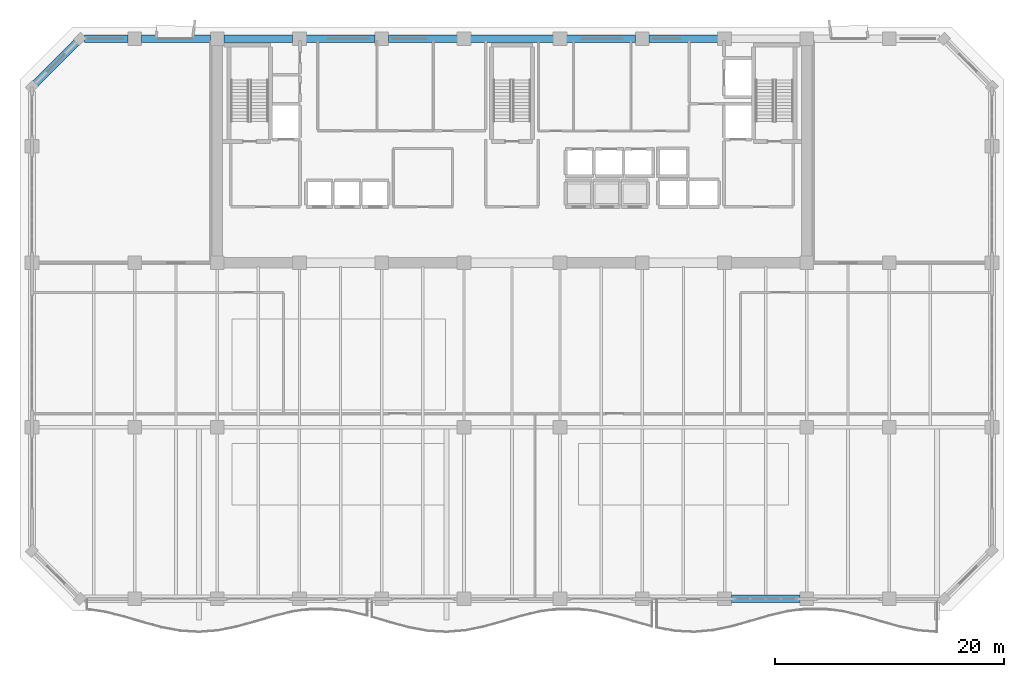
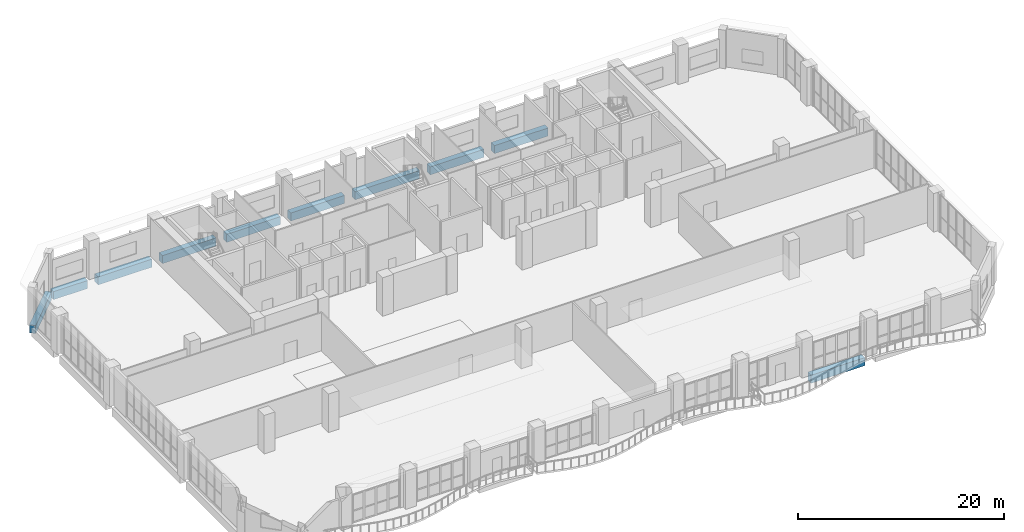
# One storey, part 17 of 37: 10 beams.
"""IFC4 building model written with IfcOpenShell, lengths in metres."""

import ifcopenshell
import ifcopenshell.guid

model = None  # the IFC model being written
_history = None  # IfcOwnerHistory: only IFC2X3 demands one
_inside = {}  # id of a spatial element -> (the spatial element, [elements in it])
_under = {}  # id of a project, library or spatial element -> (it, [spatial elements below it])
_declared = {}  # id of a project -> (the project, [libraries it declares])
_typed = {}  # id of a type object -> (the type object, [elements of that type])
_made_of = {}  # id of a material, layer set ... -> (it, [elements and type objects made of it])


def new_model(schema):
    """Start an empty IFC model of exactly this schema.

    Asked for "IFC4X3", IfcOpenShell would pick the latest addendum, in which some entities
    have other attributes; the version numbers below select the first issue.
    IFC2X3 requires an IfcOwnerHistory on every rooted entity: one is made here for all.
    """
    global model, _history
    if schema == "IFC4X3":
        model = ifcopenshell.file(schema_version=(4, 3, 0, 0))
    else:
        model = ifcopenshell.file(schema=schema)
    _inside.clear()
    _under.clear()
    _declared.clear()
    _typed.clear()
    _made_of.clear()
    _history = None
    if model.schema == "IFC2X3":
        org = make("IfcOrganization", Name="unknown")
        user = make(
            "IfcPersonAndOrganization",
            ThePerson=make("IfcPerson", FamilyName="unknown"),
            TheOrganization=org,
        )
        app = make(
            "IfcApplication",
            ApplicationDeveloper=org,
            Version="unknown",
            ApplicationFullName="unknown",
            ApplicationIdentifier="unknown",
        )
        _history = make(
            "IfcOwnerHistory",
            OwningUser=user,
            OwningApplication=app,
            ChangeAction="ADDED",
            CreationDate=0,
        )
    return model


def make(cls, **values):
    """One entity of the class cls with the attributes given. An attribute that is None is left unset."""
    return model.create_entity(
        cls, **{name: value for name, value in values.items() if value is not None}
    )


def rooted(cls, **values):
    """An entity with a GlobalId (a new one), such as an element, a storey or a relation."""
    return make(cls, GlobalId=ifcopenshell.guid.new(), OwnerHistory=_history, **values)


def si_unit(unit_type, name, prefix=None):
    """IfcSIUnit, for example si_unit("LENGTHUNIT", "METRE", prefix="MILLI")."""
    return make("IfcSIUnit", UnitType=unit_type, Prefix=prefix, Name=name)


def assignment(units):
    """IfcUnitAssignment: the units of a project."""
    return None if units is None else make("IfcUnitAssignment", Units=units)


def point(xyz):
    """IfcCartesianPoint."""
    return None if xyz is None else make("IfcCartesianPoint", Coordinates=xyz)


def direction(xyz):
    """IfcDirection."""
    return None if xyz is None else make("IfcDirection", DirectionRatios=xyz)


def frame(location, z_axis=None, x_axis=None):
    """IfcAxis2Placement3D, a coordinate frame: its origin and axes. An axis left out is left unset."""
    return make(
        "IfcAxis2Placement3D",
        Location=point(location),
        Axis=direction(z_axis),
        RefDirection=direction(x_axis),
    )


def frame_2d(location, x_axis=None):
    """IfcAxis2Placement2D, a coordinate frame in the plane: its origin and x axis."""
    return make(
        "IfcAxis2Placement2D", Location=point(location), RefDirection=direction(x_axis)
    )


def origin():
    """The frame at (0, 0, 0) with its axes left unset."""
    return frame((0.0, 0.0, 0.0))


def origin_2d():
    """The frame at (0, 0) in the plane with its x axis left unset."""
    return frame_2d((0.0, 0.0))


def place(relative_to, where):
    """IfcLocalPlacement: puts the frame where relative to a parent placement (None: the world)."""
    return make(
        "IfcLocalPlacement", PlacementRelTo=relative_to, RelativePlacement=where
    )


def context(
    kind, dimensions, precision=None, world=None, true_north=None, identifier=None
):
    """IfcGeometricRepresentationContext, for example the 3D "Model" context."""
    return make(
        "IfcGeometricRepresentationContext",
        ContextIdentifier=identifier,
        ContextType=kind,
        CoordinateSpaceDimension=dimensions,
        Precision=precision,
        WorldCoordinateSystem=world,
        TrueNorth=true_north,
    )


def subcontext(parent, identifier, kind, view, scale=None):
    """IfcGeometricRepresentationSubContext, for example "Body" below "Model"."""
    return make(
        "IfcGeometricRepresentationSubContext",
        ContextIdentifier=identifier,
        ContextType=kind,
        ParentContext=parent,
        TargetScale=scale,
        TargetView=view,
    )


def project(units=None, contexts=None):
    """IfcProject with its units and contexts."""
    return rooted(
        "IfcProject",
        Name="project",
        RepresentationContexts=contexts,
        UnitsInContext=assignment(units),
    )


def spatial(cls, under=None, at=None, **own):
    """A site, building, storey or space (cls), placed at a placement, below another one or the project."""
    s = rooted(cls, ObjectPlacement=at, **own)
    if under is not None:
        _under.setdefault(under.id(), (under, []))[1].append(s)
    return s


def profile(cls, at=None, kind="AREA", **sizes):
    """A parametric profile (cls). Its sizes go by their IFC names, for example OverallWidth=200.0."""
    return make(cls, ProfileType=kind, Position=at, **sizes)


def rectangle(**sizes):
    """IfcRectangleProfileDef."""
    return profile("IfcRectangleProfileDef", **sizes)


def extrude(swept, where, along, depth):
    """IfcExtrudedAreaSolid: the profile swept, set in the frame where, extruded along a direction by depth."""
    return make(
        "IfcExtrudedAreaSolid",
        SweptArea=swept,
        Position=where,
        ExtrudedDirection=direction(along),
        Depth=depth,
    )


def shape(context_of_items, identifier, shape_type, items):
    """IfcShapeRepresentation: the items that make up one representation, for example the "Body"."""
    return make(
        "IfcShapeRepresentation",
        ContextOfItems=context_of_items,
        RepresentationIdentifier=identifier,
        RepresentationType=shape_type,
        Items=items,
    )


def material(Name=None, Category=None):
    """IfcMaterial."""
    return make("IfcMaterial", Name=Name, Category=Category)


def material_profile(
    of_material, cross_section, Name=None, Category=None, Priority=None
):
    """IfcMaterialProfile: a cross section and its material."""
    return make(
        "IfcMaterialProfile",
        Name=Name,
        Material=of_material,
        Profile=cross_section,
        Priority=Priority,
        Category=Category,
    )


def profile_set(profiles, Name=None, composite=None):
    """IfcMaterialProfileSet."""
    return make(
        "IfcMaterialProfileSet",
        Name=Name,
        MaterialProfiles=profiles,
        CompositeProfile=composite,
    )


def made_of(thing, what):
    """Note that an element or type object is made of a material, layer set ...; save() writes the relation."""
    if what is not None:
        _made_of.setdefault(what.id(), (what, []))[1].append(thing)
    return thing


def type_object(cls, material=None, **own):
    """A type object (cls), such as IfcWallType, which elements share."""
    return made_of(rooted(cls, **own), material)


def element(
    cls,
    number,
    at=None,
    inside=None,
    cuts=None,
    type_object=None,
    material=None,
    context=None,
    identifier="Body",
    shape_type=None,
    held_by="IfcProductDefinitionShape",
    body=None,
    shapes=None,
    **own,
):
    """One element of the class cls, such as IfcWall. Its Tag is "e" and its number.

    at: its placement. inside: the storey or other place that contains it. cuts: it is an
    opening in that element (IfcRelVoidsElement). A single representation is given by context,
    identifier, shape_type and body (its items); several are given by shapes. held_by: the class
    of the entity that holds the representations. save() writes the other relations.
    """
    e = rooted(cls, Tag="e%d" % number, ObjectPlacement=at, **own)
    if body is not None:
        shapes = [shape(context, identifier, shape_type, body)]
    if shapes is not None:
        e.Representation = make(held_by, Representations=shapes)
    if inside is not None:
        _inside.setdefault(inside.id(), (inside, []))[1].append(e)
    if cuts is not None:
        rooted(
            "IfcRelVoidsElement", RelatingBuildingElement=cuts, RelatedOpeningElement=e
        )
    if type_object is not None:
        _typed.setdefault(type_object.id(), (type_object, []))[1].append(e)
    return made_of(e, material)


def aggregate(whole, parts):
    """IfcRelAggregates: a whole, such as a stair, and the parts it consists of."""
    return rooted("IfcRelAggregates", RelatingObject=whole, RelatedObjects=parts)


def save(model, path):
    """Write the relations noted so far, then the file.

    IfcRelAggregates (storeys below a building ...), IfcRelContainedInSpatialStructure (elements
    in a storey), IfcRelDefinesByType, IfcRelAssociatesMaterial and IfcRelDeclares: one each for
    every whole, place, type object, material and project.
    """
    for whole, parts in _under.values():
        aggregate(whole, parts)
    for where, things in _inside.values():
        rooted(
            "IfcRelContainedInSpatialStructure",
            RelatedElements=things,
            RelatingStructure=where,
        )
    for kind, things in _typed.values():
        rooted("IfcRelDefinesByType", RelatedObjects=things, RelatingType=kind)
    for what, things in _made_of.values():
        rooted("IfcRelAssociatesMaterial", RelatedObjects=things, RelatingMaterial=what)
    for by, libraries in _declared.values():
        rooted("IfcRelDeclares", RelatingContext=by, RelatedDefinitions=libraries)
    model.write(path)


model = new_model("IFC4")

# Units and contexts
model_context = context("Model", 3, precision=1e-05, world=origin(), true_north=direction((0.0, 1.0)))
body_context = subcontext(model_context, "Body", "Model", "MODEL_VIEW")
ifc_project = project(units=[si_unit("LENGTHUNIT", "METRE"), si_unit("AREAUNIT", "SQUARE_METRE"), si_unit("VOLUMEUNIT", "CUBIC_METRE"), si_unit("PLANEANGLEUNIT", "RADIAN"), si_unit("MASSUNIT", "GRAM", prefix="KILO")], contexts=[model_context])

# Site, building, storey
site_placement = place(None, origin())
site = spatial("IfcSite", under=ifc_project, at=site_placement, CompositionType="ELEMENT")
building_placement = place(site_placement, origin())
building = spatial("IfcBuilding", under=site, at=building_placement, Name="Kaelvorn Grand Hotel", CompositionType="ELEMENT")
storey_placement = place(building_placement, frame((0.0, 0.0, 130.550048828125)))
storey = spatial("IfcBuildingStorey", under=building, at=storey_placement, Name="L31", CompositionType="ELEMENT", Elevation=130.550048828125)

# Beams
ifc_material = material(Name="Concrete C60/75", Category="concrete")
ifc_material_profile = material_profile(ifc_material, rectangle(XDim=0.64990234375, YDim=0.949951171875, at=origin_2d()), Name="RC SPANDREL 650x950")
ifc_profile_set = profile_set([ifc_material_profile], Name="Concrete C60/75")
beam_type = type_object("IfcBeamType", Name="BM-SP-650x950-C60", PredefinedType="SPANDREL", material=ifc_profile_set)
beam_1_placement = place(storey_placement, frame((61.18505859375, 0.0, -0.715087890625), z_axis=(1.0, 0.0, 0.0), x_axis=(0.0, 1.0, 0.0)))
element("IfcBeam", 1, at=beam_1_placement, inside=storey, type_object=beam_type, Name="L31 South Perimeter Spandrel 09", PredefinedType="SPANDREL", context=body_context, shape_type="SweptSolid", body=[
    extrude(rectangle(XDim=0.64990234375, YDim=0.949951171875, at=origin_2d()), origin(), (0.0, 0.0, 1.0), 6.030029296875),
])
beam_2_placement = place(storey_placement, frame((4.60498046875, 49.0, -0.715087890625), z_axis=(1.0, 0.0, 0.0), x_axis=(0.0, 1.0, 0.0)))
element("IfcBeam", 2, at=beam_2_placement, inside=storey, type_object=beam_type, Name="L31 North Perimeter Spandrel 01", PredefinedType="SPANDREL", context=body_context, shape_type="SweptSolid", body=[
    extrude(rectangle(XDim=0.64990234375, YDim=0.949951171875, at=origin_2d()), origin(), (0.0, 0.0, 1.0), 3.81005859375),
])
for number, where, z_axis, x_axis, name in (
    (3, (9.5849609375, 49.0, -0.715087890625), (1.0, 0.0, 0.0), (0.0, 1.0, 0.0), "L31 North Perimeter Spandrel 02"),
    (4, (16.784912109375, 49.0, -0.715087890625), (1.0, 0.0, 0.0), (0.0, 1.0, 0.0), "L31 North Perimeter Spandrel 03"),
):
    element("IfcBeam", number, at=place(storey_placement, frame(where, z_axis=z_axis, x_axis=x_axis)), inside=storey, type_object=beam_type, Name=name, PredefinedType="SPANDREL", context=body_context, shape_type="SweptSolid", body=[
        extrude(rectangle(XDim=0.64990234375, YDim=0.949951171875, at=origin_2d()), origin(), (0.0, 0.0, 1.0), 6.030029296875),
    ])
beam_3_placement = place(storey_placement, frame((23.985107421875, 49.0, -0.715087890625), z_axis=(1.0, 0.0, 0.0), x_axis=(0.0, 1.0, 0.0)))
element("IfcBeam", 5, at=beam_3_placement, inside=storey, type_object=beam_type, Name="L31 North Perimeter Spandrel 04", PredefinedType="SPANDREL", context=body_context, shape_type="SweptSolid", body=[
    extrude(rectangle(XDim=0.64990234375, YDim=0.949951171875, at=origin_2d()), origin(), (0.0, 0.0, 1.0), 6.02978515625),
])
beam_4_placement = place(storey_placement, frame((31.18505859375, 49.0, -0.715087890625), z_axis=(1.0, 0.0, 0.0), x_axis=(0.0, 1.0, 0.0)))
element("IfcBeam", 6, at=beam_4_placement, inside=storey, type_object=beam_type, Name="L31 North Perimeter Spandrel 05", PredefinedType="SPANDREL", context=body_context, shape_type="SweptSolid", body=[
    extrude(rectangle(XDim=0.64990234375, YDim=0.949951171875, at=origin_2d()), origin(), (0.0, 0.0, 1.0), 6.030029296875),
])
beam_5_placement = place(storey_placement, frame((38.385009765625, 49.0, -0.715087890625), z_axis=(1.0, 0.0, 0.0), x_axis=(0.0, 1.0, 0.0)))
element("IfcBeam", 7, at=beam_5_placement, inside=storey, type_object=beam_type, Name="L31 North Perimeter Spandrel 06", PredefinedType="SPANDREL", context=body_context, shape_type="SweptSolid", body=[
    extrude(rectangle(XDim=0.64990234375, YDim=0.949951171875, at=origin_2d()), origin(), (0.0, 0.0, 1.0), 7.22998046875),
])
beam_6_placement = place(storey_placement, frame((46.784912109375, 49.0, -0.715087890625), z_axis=(1.0, 0.0, 0.0), x_axis=(0.0, 1.0, 0.0)))
element("IfcBeam", 8, at=beam_6_placement, inside=storey, type_object=beam_type, Name="L31 North Perimeter Spandrel 07", PredefinedType="SPANDREL", context=body_context, shape_type="SweptSolid", body=[
    extrude(rectangle(XDim=0.64990234375, YDim=0.949951171875, at=origin_2d()), origin(), (0.0, 0.0, 1.0), 6.030029296875),
])
beam_7_placement = place(storey_placement, frame((53.985107421875, 49.0, -0.715087890625), z_axis=(1.0, 0.0, 0.0), x_axis=(0.0, 1.0, 0.0)))
element("IfcBeam", 9, at=beam_7_placement, inside=storey, type_object=beam_type, Name="L31 North Perimeter Spandrel 08", PredefinedType="SPANDREL", context=body_context, shape_type="SweptSolid", body=[
    extrude(rectangle(XDim=0.64990234375, YDim=0.949951171875, at=origin_2d()), origin(), (0.0, 0.0, 1.0), 6.02978515625),
])
beam_8_placement = place(storey_placement, frame((4.199951171875, 49.0, -0.715087890625), z_axis=(-0.707106781187, -0.707106781187, 0.0), x_axis=(0.707106781187, -0.707106781187, 0.0)))
element("IfcBeam", 10, at=beam_8_placement, inside=storey, type_object=beam_type, Name="L31 Chamfer Spandrel Beam 3", PredefinedType="SPANDREL", context=body_context, shape_type="SweptSolid", body=[
    extrude(rectangle(XDim=0.64990234375, YDim=0.949951171875, at=origin_2d()), origin(), (0.0, 0.0, 1.0), 5.939697265625),
])

save(model, "model.ifc")
